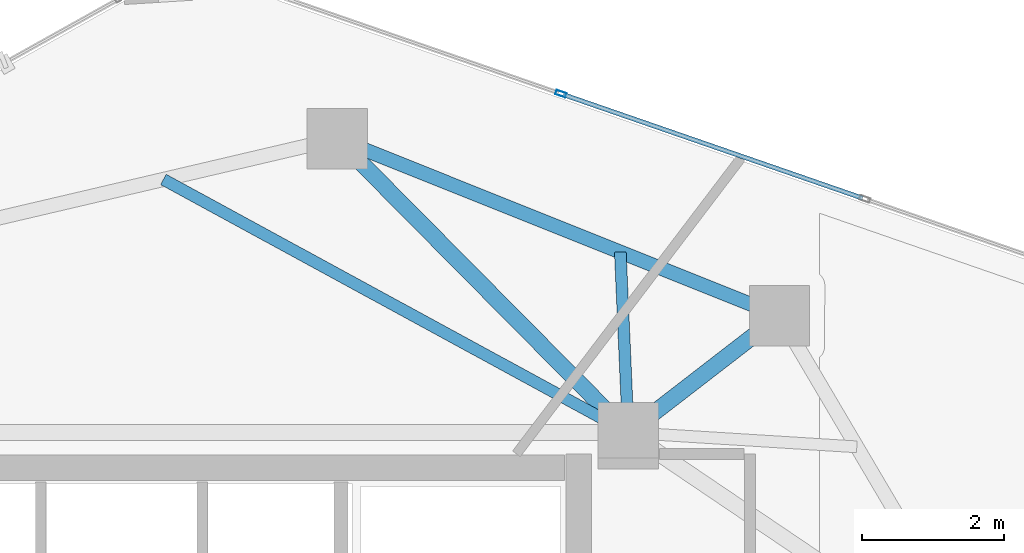
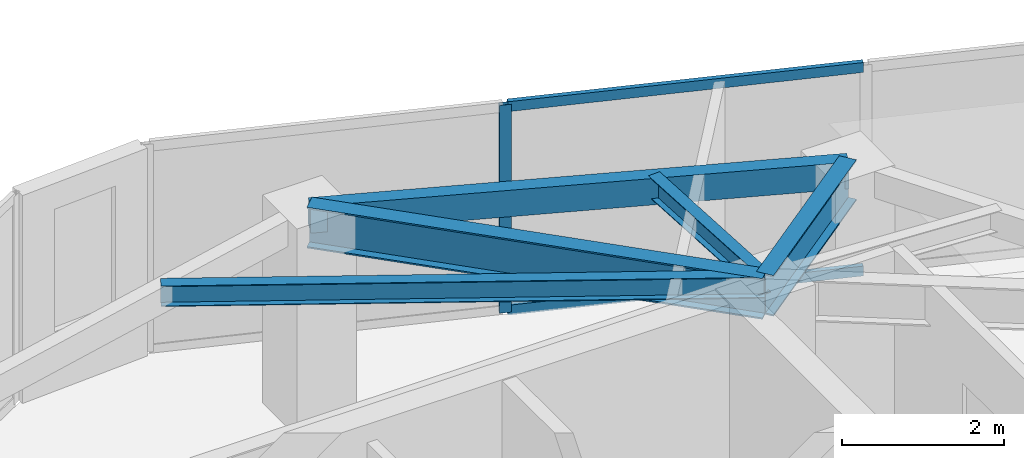
# One storey, part 13 of 20: 5 beams, 3 members, 1 element without a shape of its own.
"""IFC4 building model written with IfcOpenShell, lengths in metres."""

from ifc_helpers import new_model, si_unit, direction, frame, origin, origin_2d, place, context, subcontext, project, spatial, hollow_rectangle, i_section, extrude, source, transform, mapped, material, layer, layer_set, material_profile, profile_set, type_object, type_shapes, element, aggregate, save


model = new_model("IFC4")

# Units and contexts
model_context = context("Model", 3, precision=1e-05, world=origin(), true_north=direction((0.0, 1.0)))
body_context = subcontext(model_context, "Body", "Model", "MODEL_VIEW")
ifc_project = project(units=[si_unit("LENGTHUNIT", "METRE"), si_unit("AREAUNIT", "SQUARE_METRE"), si_unit("VOLUMEUNIT", "CUBIC_METRE"), si_unit("PLANEANGLEUNIT", "RADIAN"), si_unit("MASSUNIT", "GRAM", prefix="KILO")], contexts=[model_context])

# Site, building, storey
site_placement = place(None, origin())
site = spatial("IfcSite", under=ifc_project, at=site_placement, CompositionType="ELEMENT")
building_placement = place(site_placement, origin())
building = spatial("IfcBuilding", under=site, at=building_placement, Name="Talar Marvaseh", CompositionType="ELEMENT")
storey_placement = place(building_placement, frame((0.0, 0.0, 257.800048828125)))
storey = spatial("IfcBuildingStorey", under=building, at=storey_placement, Name="L68", CompositionType="ELEMENT", Elevation=257.800048828125)

# Beams
ifc_material_1 = material(Name="Steel S355", Category="steel")
ifc_material_profile_1 = material_profile(ifc_material_1, hollow_rectangle(XDim=0.199951171875, YDim=0.39990234375, WallThickness=0.013916015625, at=origin_2d()), Name="RHS400x200x14")
ifc_profile_set_1 = profile_set([ifc_material_profile_1], Name="Steel S355")
beam_type_1 = type_object("IfcBeamType", Name="Zone 3 Perimeter Spandrel Beam RHS400x200x14", PredefinedType="SPANDREL", material=ifc_profile_set_1)
beam_1_placement = place(storey_placement, frame((29.18798828125, 41.052001953125, 2.93994140625), z_axis=(0.928426659475, -0.371515730456, 0.0), x_axis=(0.371515730456, 0.928426659475, 0.0)))
element("IfcBeam", 1, at=beam_1_placement, inside=storey, type_object=beam_type_1, Name="L68 Zone 3 Perimeter Spandrel Beam RHS400x200x14", PredefinedType="SPANDREL", context=body_context, shape_type="SweptSolid", body=[
    extrude(hollow_rectangle(XDim=0.199951171875, YDim=0.39990234375, WallThickness=0.013916015625, at=origin_2d()), origin(), (0.0, 0.0, 1.0), 6.73193359375),
])
ifc_material_profile_2 = material_profile(ifc_material_1, i_section(OverallWidth=0.166015625, OverallDepth=0.31298828125, WebThickness=0.006591796875, FlangeThickness=0.01123046875, at=origin_2d()), Name="W310x45")
ifc_profile_set_2 = profile_set([ifc_material_profile_2], Name="Steel S355")
beam_type_2 = type_object("IfcBeamType", Name="Zone 3 Secondary Floor Joist W310x45", PredefinedType="JOIST", material=ifc_profile_set_2)
beam_2_placement = place(storey_placement, frame((26.731689453125, 40.476806640625, 2.9833984375), z_axis=(0.878223458764, -0.478250516442, 0.0), x_axis=(0.478250516442, 0.878223458764, 0.0)))
element("IfcBeam", 2, at=beam_2_placement, inside=storey, type_object=beam_type_2, Name="L68 Zone 3 Secondary Floor Joist W310x45", PredefinedType="JOIST", context=body_context, shape_type="SweptSolid", body=[
    extrude(i_section(OverallWidth=0.166015625, OverallDepth=0.31298828125, WebThickness=0.006591796875, FlangeThickness=0.01123046875, at=origin_2d()), origin(), (0.0, 0.0, 1.0), 7.479248046875),
])
beam_3_placement = place(storey_placement, frame((33.18798828125, 39.451416015625, 2.9833984375), z_axis=(0.043876945448, -0.99903694309, 0.0), x_axis=(0.99903694309, 0.043876945448, 0.0)))
element("IfcBeam", 3, at=beam_3_placement, inside=storey, type_object=beam_type_2, Name="L68 Zone 3 Secondary Floor Joist W310x45", PredefinedType="JOIST", context=body_context, shape_type="SweptSolid", body=[
    extrude(i_section(OverallWidth=0.166015625, OverallDepth=0.31298828125, WebThickness=0.006591796875, FlangeThickness=0.01123046875, at=origin_2d()), origin(), (0.0, 0.0, 1.0), 2.553955078125),
])
ifc_material_profile_3 = material_profile(ifc_material_1, i_section(OverallWidth=0.22998046875, OverallDepth=0.616943359375, WebThickness=0.01318359375, FlangeThickness=0.022216796875, at=origin_2d()), Name="W610x140")
ifc_profile_set_3 = profile_set([ifc_material_profile_3], Name="Steel S355")
beam_type_3 = type_object("IfcBeamType", Name="Zone 4 Radial Floor Girder W610x140", PredefinedType="BEAM", material=ifc_profile_set_3)
beam_4_placement = place(storey_placement, frame((29.18798828125, 41.052001953125, 2.83154296875), z_axis=(0.703672658083, -0.710524306598, 0.0), x_axis=(0.710524306598, 0.703672658083, 0.0)))
element("IfcBeam", 4, at=beam_4_placement, inside=storey, type_object=beam_type_3, Name="L68 Zone 4 Radial Floor Girder W610x140", PredefinedType="BEAM", context=body_context, shape_type="SweptSolid", body=[
    extrude(i_section(OverallWidth=0.22998046875, OverallDepth=0.616943359375, WebThickness=0.01318359375, FlangeThickness=0.022216796875, at=origin_2d()), origin(), (0.0, 0.0, 1.0), 5.84375),
])
beam_5_placement = place(storey_placement, frame((35.43798828125, 38.551025390625, 2.83154296875), z_axis=(-0.791449946636, -0.611233982996, 0.0), x_axis=(0.611233982996, -0.791449946636, 0.0)))
element("IfcBeam", 5, at=beam_5_placement, inside=storey, type_object=beam_type_3, Name="L68 Zone 4 Radial Floor Girder W610x140", PredefinedType="BEAM", context=body_context, shape_type="SweptSolid", body=[
    extrude(i_section(OverallWidth=0.22998046875, OverallDepth=0.616943359375, WebThickness=0.01318359375, FlangeThickness=0.022216796875, at=origin_2d()), origin(), (0.0, 0.0, 1.0), 2.701416015625),
])

# Curtain wall, members
ifc_material_2 = material(Name="Architectural Aluminium", Category="aluminium")
ifc_layer = layer(ifc_material_2, 0.179931640625)
ifc_layer_set = layer_set([ifc_layer], Name="Architectural Aluminium")
curtain_wall_type = type_object("IfcCurtainWallType", Name="Unitised High-Wind Sky Curtain Wall Z4", PredefinedType="NOTDEFINED", material=ifc_layer_set)
curtain_wall_placement = place(storey_placement, origin())
curtain_wall = element("IfcCurtainWall", 6, at=curtain_wall_placement, inside=storey, type_object=curtain_wall_type, Name="L68 Unitised High-Wind Sky Curtain Wall Z4", PredefinedType="NOTDEFINED")
ifc_material_profile_4 = material_profile(ifc_material_2, hollow_rectangle(XDim=0.06494140625, YDim=0.14990234375, WallThickness=0.00390625, at=origin_2d()), Name="RHS150x65x4")
ifc_profile_set_4 = profile_set([ifc_material_profile_4], Name="Architectural Aluminium")
member_type_1 = type_object("IfcMemberType", Name="Unitised Curtain Wall Slim Mullion RHS150x65x4", PredefinedType="MULLION", material=ifc_profile_set_4)
shared_shape_1 = source(origin(), body_context, "Body", "SweptSolid", [
    extrude(hollow_rectangle(XDim=0.06494140625, YDim=0.14990234375, WallThickness=0.00390625, at=origin_2d()), origin(), (0.0, 0.0, 1.0), 3.139892578125),
])
type_shapes(member_type_1, [shared_shape_1])
member_1_placement = place(storey_placement, frame((32.348388671875, 41.687744140625, 0.0), z_axis=(0.0, 0.0, 1.0), x_axis=(0.327150867959, 0.944972121067, 0.0)))
member_1 = element("IfcMember", 7, at=member_1_placement, type_object=member_type_1, Name="CW-Z4 mullion 2", PredefinedType="MULLION", context=body_context, shape_type="MappedRepresentation", body=[
    mapped(shared_shape_1, transform((0.0, 0.0, 0.0), x_axis=(1.0, 0.0, 0.0), y_axis=(0.0, 1.0, 0.0), z_axis=(0.0, 0.0, 1.0), scale=1.0)),
])
ifc_material_profile_5 = material_profile(ifc_material_2, hollow_rectangle(XDim=0.06494140625, YDim=0.14990234375, WallThickness=0.00390625, at=origin_2d()), Name="RHS150x65x4")
ifc_profile_set_5 = profile_set([ifc_material_profile_5], Name="Architectural Aluminium")
member_type_2 = type_object("IfcMemberType", Name="Unitised Curtain Wall Slim Transom RHS150x65x4", PredefinedType="USERDEFINED", material=ifc_profile_set_5)
shared_shape_2 = source(origin(), body_context, "Body", "SweptSolid", [
    extrude(hollow_rectangle(XDim=0.06494140625, YDim=0.14990234375, WallThickness=0.00390625, at=origin_2d()), origin(), (0.0, 0.0, 1.0), 4.47998046875),
])
type_shapes(member_type_2, [shared_shape_2])
member_2_placement = place(storey_placement, frame((32.37890625, 41.677001953125, 0.032470703125), z_axis=(0.944974410382, -0.32714425522, 0.0), x_axis=(0.32714425522, 0.944974410382, 0.0)))
member_2 = element("IfcMember", 8, at=member_2_placement, type_object=member_type_2, Name="CW-Z4 transom 2.1", ObjectType="TRANSOM", PredefinedType="USERDEFINED", context=body_context, shape_type="MappedRepresentation", body=[
    mapped(shared_shape_2, transform((0.0, 0.0, 0.0), x_axis=(1.0, 0.0, 0.0), y_axis=(0.0, 1.0, 0.0), z_axis=(0.0, 0.0, 1.0), scale=1.0)),
])
member_3_placement = place(storey_placement, frame((32.37890625, 41.677001953125, 3.107421875), z_axis=(0.944974410382, -0.32714425522, 0.0), x_axis=(0.32714425522, 0.944974410382, 0.0)))
member_3 = element("IfcMember", 9, at=member_3_placement, type_object=member_type_2, Name="CW-Z4 transom 2.2", ObjectType="TRANSOM", PredefinedType="USERDEFINED", context=body_context, shape_type="MappedRepresentation", body=[
    mapped(shared_shape_2, transform((0.0, 0.0, 0.0), x_axis=(1.0, 0.0, 0.0), y_axis=(0.0, 1.0, 0.0), z_axis=(0.0, 0.0, 1.0), scale=1.0)),
])
aggregate(curtain_wall, [member_1, member_2, member_3])

save(model, "model.ifc")
